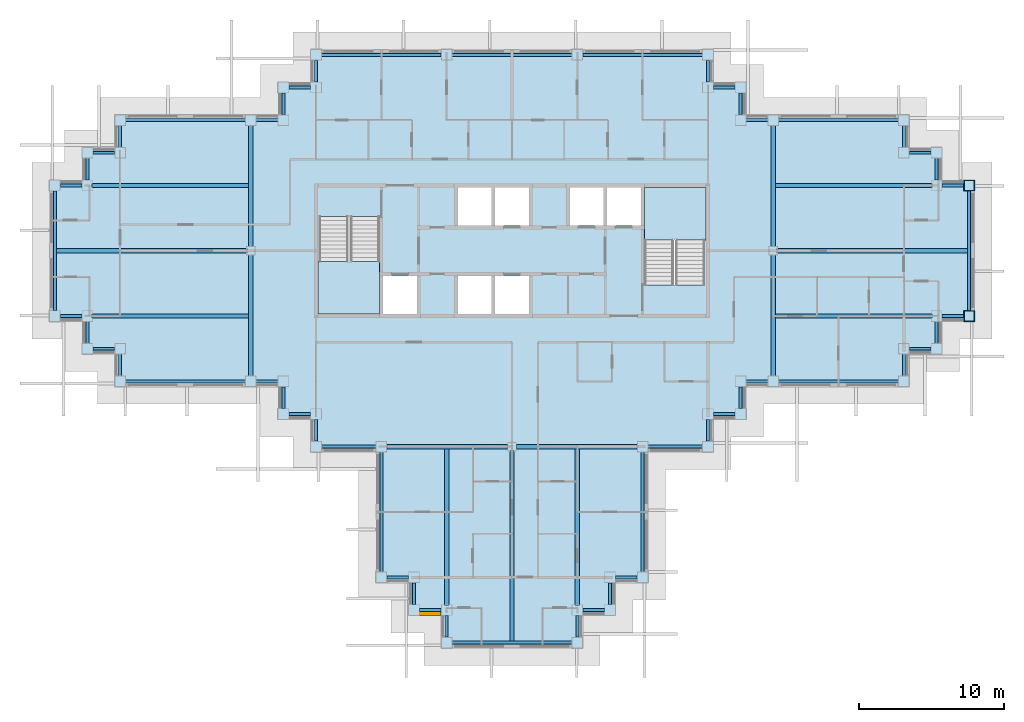
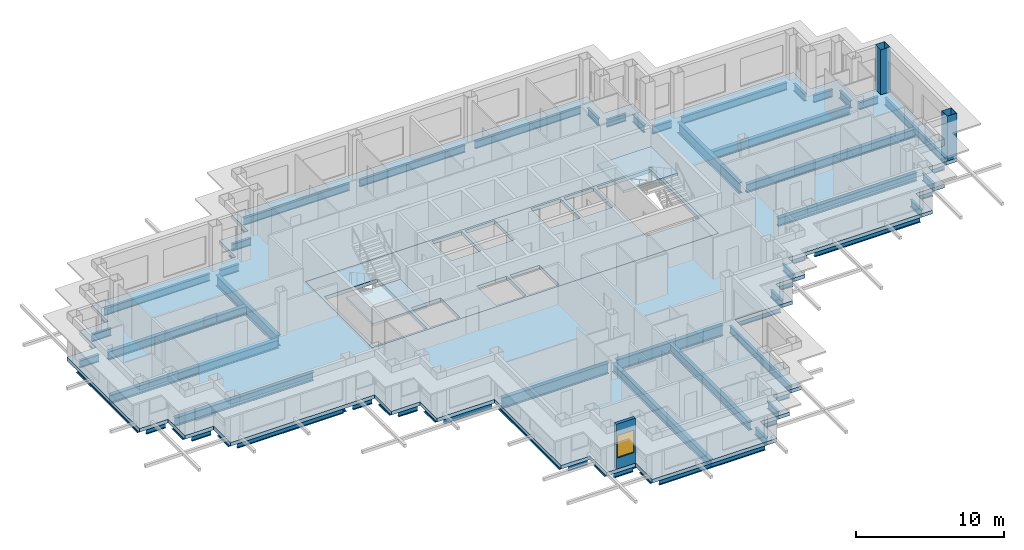
# One storey, part 2 of 15: 69 beams, 4 slabs, 2 columns, 1 wall, 1 window, 1 opening, 2 elements without a shape of their own.
"""IFC4 building model written with IfcOpenShell, lengths in metres."""

from ifc_helpers import new_model, si_unit, direction, frame, frame_2d, origin, origin_2d, place, context, subcontext, project, spatial, polyline, rectangle, hollow_rectangle, i_section, outline, extrude, material, layer, layer_set, material_profile, profile_set, type_object, element, fill, aggregate, save


model = new_model("IFC4")

# Units and contexts
model_context = context("Model", 3, precision=1e-05, world=origin(), true_north=direction((0.0, 1.0)))
body_context = subcontext(model_context, "Body", "Model", "MODEL_VIEW")
ifc_project = project(units=[si_unit("LENGTHUNIT", "METRE"), si_unit("AREAUNIT", "SQUARE_METRE"), si_unit("VOLUMEUNIT", "CUBIC_METRE"), si_unit("PLANEANGLEUNIT", "RADIAN"), si_unit("MASSUNIT", "GRAM", prefix="KILO")], contexts=[model_context])

# Site, building, storey
site_placement = place(None, origin())
site = spatial("IfcSite", under=ifc_project, at=site_placement, CompositionType="ELEMENT")
building_placement = place(site_placement, origin())
building = spatial("IfcBuilding", under=site, at=building_placement, Name="Caravel Reach Hotel and Residences", CompositionType="ELEMENT")
storey_placement = place(building_placement, frame((0.0, 0.0, 172.800048828125)))
storey = spatial("IfcBuildingStorey", under=building, at=storey_placement, Name="L43", CompositionType="ELEMENT", Elevation=172.800048828125)

# Columns
ifc_material_1 = material(Name="Concrete-filled steel tube Q390B with Concrete C60 infill", Category="concrete")
ifc_material_profile_1 = material_profile(ifc_material_1, hollow_rectangle(XDim=0.75, YDim=0.75, WallThickness=0.02392578125, at=origin_2d()), Name="RHS 750x750x24")
ifc_profile_set_1 = profile_set([ifc_material_profile_1], Name="Concrete-filled steel tube Q390B with Concrete C60 infill")
column_type = type_object("IfcColumnType", Name="CFT 750x750 Q390B C60", PredefinedType="COLUMN", material=ifc_profile_set_1)
for number, where, z_axis, x_axis, name in (
    (1, (63.0, 22.5, 0.0), (0.0, 0.0, 1.0), (1.0, 0.0, 0.0), "C14 column"),
    (2, (63.0, 31.5, 0.0), (0.0, 0.0, 1.0), (1.0, 0.0, 0.0), "C14 column"),
):
    element("IfcColumn", number, at=place(storey_placement, frame(where, z_axis=z_axis, x_axis=x_axis)), inside=storey, type_object=column_type, Name=name, PredefinedType="COLUMN", context=body_context, shape_type="SweptSolid", body=[
        extrude(hollow_rectangle(XDim=0.75, YDim=0.75, WallThickness=0.02392578125, at=origin_2d()), origin(), (0.0, 0.0, 1.0), 3.699951171875),
    ])

# Beams
ifc_material_2 = material(Name="Structural steel Q355B", Category="steel")
ifc_material_profile_2 = material_profile(ifc_material_2, i_section(OverallWidth=0.300048828125, OverallDepth=0.699951171875, WebThickness=0.012939453125, FlangeThickness=0.02392578125, FilletRadius=0.01806640625, at=origin_2d()), Name="HN 700x300x13x24")
ifc_profile_set_2 = profile_set([ifc_material_profile_2], Name="Structural steel Q355B")
beam_type_1 = type_object("IfcBeamType", Name="Beam HN 700x300x13x24", PredefinedType="BEAM", material=ifc_profile_set_2)
beam_1_placement = place(storey_placement, frame((27.0, 13.39990234375, -0.650146484375), z_axis=(0.0, -1.0, 0.0), x_axis=(1.0, 0.0, 0.0)))
element("IfcBeam", 3, at=beam_1_placement, inside=storey, type_object=beam_type_1, Name="B2 HN 700x300x13x24", PredefinedType="BEAM", context=body_context, shape_type="SweptSolid", body=[
    extrude(i_section(OverallWidth=0.300048828125, OverallDepth=0.699951171875, WebThickness=0.012939453125, FlangeThickness=0.02392578125, FilletRadius=0.01806640625, at=origin_2d()), origin(), (0.0, 0.0, 1.0), 10.824951171875),
])
beam_2_placement = place(storey_placement, frame((31.5, 13.25, -0.650146484375), z_axis=(0.0, -1.0, 0.0), x_axis=(1.0, 0.0, 0.0)))
element("IfcBeam", 4, at=beam_2_placement, inside=storey, type_object=beam_type_1, Name="B2 HN 700x300x13x24", PredefinedType="BEAM", context=body_context, shape_type="SweptSolid", body=[
    extrude(i_section(OverallWidth=0.300048828125, OverallDepth=0.699951171875, WebThickness=0.012939453125, FlangeThickness=0.02392578125, FilletRadius=0.01806640625, at=origin_2d()), origin(), (0.0, 0.0, 1.0), 13.14990234375),
])
for number, where, z_axis, x_axis, name in (
    (5, (36.0, 13.39990234375, -0.650146484375), (0.0, -1.0, 0.0), (1.0, 0.0, 0.0), "B2 HN 700x300x13x24"),
    (6, (49.60009765625, 22.5, -0.650146484375), (1.0, 0.0, 0.0), (0.0, 1.0, 0.0), "B2 HN 700x300x13x24"),
):
    element("IfcBeam", number, at=place(storey_placement, frame(where, z_axis=z_axis, x_axis=x_axis)), inside=storey, type_object=beam_type_1, Name=name, PredefinedType="BEAM", context=body_context, shape_type="SweptSolid", body=[
        extrude(i_section(OverallWidth=0.300048828125, OverallDepth=0.699951171875, WebThickness=0.012939453125, FlangeThickness=0.02392578125, FilletRadius=0.01806640625, at=origin_2d()), origin(), (0.0, 0.0, 1.0), 10.824951171875),
    ])
beam_3_placement = place(storey_placement, frame((49.75, 27.0, -0.650146484375), z_axis=(1.0, 0.0, 0.0), x_axis=(0.0, 1.0, 0.0)))
element("IfcBeam", 7, at=beam_3_placement, inside=storey, type_object=beam_type_1, Name="B2 HN 700x300x13x24", PredefinedType="BEAM", context=body_context, shape_type="SweptSolid", body=[
    extrude(i_section(OverallWidth=0.300048828125, OverallDepth=0.699951171875, WebThickness=0.012939453125, FlangeThickness=0.02392578125, FilletRadius=0.01806640625, at=origin_2d()), origin(), (0.0, 0.0, 1.0), 13.14990234375),
])
for number, where, z_axis, x_axis, name in (
    (8, (49.60009765625, 31.5, -0.650146484375), (1.0, 0.0, 0.0), (0.0, 1.0, 0.0), "B2 HN 700x300x13x24"),
    (9, (13.39990234375, 22.5, -0.650146484375), (-1.0, 0.0, 0.0), (0.0, -1.0, 0.0), "B2 HN 700x300x13x24"),
):
    element("IfcBeam", number, at=place(storey_placement, frame(where, z_axis=z_axis, x_axis=x_axis)), inside=storey, type_object=beam_type_1, Name=name, PredefinedType="BEAM", context=body_context, shape_type="SweptSolid", body=[
        extrude(i_section(OverallWidth=0.300048828125, OverallDepth=0.699951171875, WebThickness=0.012939453125, FlangeThickness=0.02392578125, FilletRadius=0.01806640625, at=origin_2d()), origin(), (0.0, 0.0, 1.0), 10.824951171875),
    ])
beam_4_placement = place(storey_placement, frame((13.25, 27.0, -0.650146484375), z_axis=(-1.0, 0.0, 0.0), x_axis=(0.0, -1.0, 0.0)))
element("IfcBeam", 10, at=beam_4_placement, inside=storey, type_object=beam_type_1, Name="B2 HN 700x300x13x24", PredefinedType="BEAM", context=body_context, shape_type="SweptSolid", body=[
    extrude(i_section(OverallWidth=0.300048828125, OverallDepth=0.699951171875, WebThickness=0.012939453125, FlangeThickness=0.02392578125, FilletRadius=0.01806640625, at=origin_2d()), origin(), (0.0, 0.0, 1.0), 13.14990234375),
])
beam_5_placement = place(storey_placement, frame((13.39990234375, 31.5, -0.650146484375), z_axis=(-1.0, 0.0, 0.0), x_axis=(0.0, -1.0, 0.0)))
element("IfcBeam", 11, at=beam_5_placement, inside=storey, type_object=beam_type_1, Name="B2 HN 700x300x13x24", PredefinedType="BEAM", context=body_context, shape_type="SweptSolid", body=[
    extrude(i_section(OverallWidth=0.300048828125, OverallDepth=0.699951171875, WebThickness=0.012939453125, FlangeThickness=0.02392578125, FilletRadius=0.01806640625, at=origin_2d()), origin(), (0.0, 0.0, 1.0), 10.824951171875),
])
ifc_material_3 = material(Name="Structural steel Q355B", Category="steel")
ifc_material_profile_3 = material_profile(ifc_material_3, i_section(OverallWidth=0.300048828125, OverallDepth=0.89990234375, WebThickness=0.01611328125, FlangeThickness=0.028076171875, FilletRadius=0.01806640625, at=origin_2d()), Name="HN 900x300x16x28")
ifc_profile_set_3 = profile_set([ifc_material_profile_3], Name="Structural steel Q355B")
beam_type_2 = type_object("IfcBeamType", Name="Beam HN 900x300x16x28", PredefinedType="BEAM", material=ifc_profile_set_3)
for number, where, z_axis, x_axis, name in (
    (12, (22.875, 13.5, -0.75), (1.0, 0.0, 0.0), (0.0, 1.0, 0.0), "B3 HN 900x300x16x28"),
    (13, (31.800048828125, 13.5, -0.75), (1.0, 0.0, 0.0), (0.0, 1.0, 0.0), "B3 HN 900x300x16x28"),
    (14, (13.5, 18.375, -0.75), (0.0, 1.0, 0.0), (-1.0, 0.0, 0.0), "B3 HN 900x300x16x28"),
    (15, (13.5, 27.300048828125, -0.75), (0.0, 1.0, 0.0), (-1.0, 0.0, 0.0), "B3 HN 900x300x16x28"),
    (16, (49.5, 18.375, -0.75), (0.0, 1.0, 0.0), (-1.0, 0.0, 0.0), "B3 HN 900x300x16x28"),
    (17, (49.5, 27.300048828125, -0.75), (0.0, 1.0, 0.0), (-1.0, 0.0, 0.0), "B3 HN 900x300x16x28"),
):
    element("IfcBeam", number, at=place(storey_placement, frame(where, z_axis=z_axis, x_axis=x_axis)), inside=storey, type_object=beam_type_2, Name=name, PredefinedType="BEAM", context=body_context, shape_type="SweptSolid", body=[
        extrude(i_section(OverallWidth=0.300048828125, OverallDepth=0.89990234375, WebThickness=0.01611328125, FlangeThickness=0.028076171875, FilletRadius=0.01806640625, at=origin_2d()), origin(), (0.0, 0.0, 1.0), 8.324951171875),
    ])
ifc_material_4 = material(Name="Structural steel Q355B", Category="steel")
ifc_material_profile_4 = material_profile(ifc_material_4, i_section(OverallWidth=0.199951171875, OverallDepth=0.60009765625, WebThickness=0.010986328125, FlangeThickness=0.01708984375, FilletRadius=0.012939453125, at=origin_2d()), Name="HN 600x200x11x17")
ifc_profile_set_4 = profile_set([ifc_material_profile_4], Name="Structural steel Q355B")
beam_type_3 = type_object("IfcBeamType", Name="Spandrel beam HN 600x200x11x17", PredefinedType="SPANDREL", material=ifc_profile_set_4)
for number, where, z_axis, x_axis, name in (
    (18, (22.875, 4.5, -0.60009765625), (1.0, 0.0, 0.0), (0.0, 1.0, 0.0), "SP1 HN 600x200x11x17"),
    (19, (24.75, 4.125, -0.60009765625), (0.0, -1.0, 0.0), (1.0, 0.0, 0.0), "SP1 HN 600x200x11x17"),
    (20, (25.125, 2.25, -0.60009765625), (1.0, 0.0, 0.0), (0.0, 1.0, 0.0), "SP1 HN 600x200x11x17"),
    (21, (27.0, 1.875, -0.60009765625), (0.0, -1.0, 0.0), (1.0, 0.0, 0.0), "SP1 HN 600x200x11x17"),
):
    element("IfcBeam", number, at=place(storey_placement, frame(where, z_axis=z_axis, x_axis=x_axis)), inside=storey, type_object=beam_type_3, Name=name, PredefinedType="SPANDREL", context=body_context, shape_type="SweptSolid", body=[
        extrude(i_section(OverallWidth=0.199951171875, OverallDepth=0.60009765625, WebThickness=0.010986328125, FlangeThickness=0.01708984375, FilletRadius=0.012939453125, at=origin_2d()), origin(), (0.0, 0.0, 1.0), 1.5),
    ])
beam_6_placement = place(storey_placement, frame((27.375, 0.0, -0.60009765625), z_axis=(1.0, 0.0, 0.0), x_axis=(0.0, 1.0, 0.0)))
element("IfcBeam", 22, at=beam_6_placement, inside=storey, type_object=beam_type_3, Name="SP1 HN 600x200x11x17", PredefinedType="SPANDREL", context=body_context, shape_type="SweptSolid", body=[
    extrude(i_section(OverallWidth=0.199951171875, OverallDepth=0.60009765625, WebThickness=0.010986328125, FlangeThickness=0.01708984375, FilletRadius=0.012939453125, at=origin_2d()), origin(), (0.0, 0.0, 1.0), 8.25),
])
for number, where, z_axis, x_axis, name in (
    (23, (36.0, 0.375, -0.60009765625), (0.0, 1.0, 0.0), (-1.0, 0.0, 0.0), "SP1 HN 600x200x11x17"),
    (24, (36.375, 2.25, -0.60009765625), (1.0, 0.0, 0.0), (0.0, 1.0, 0.0), "SP1 HN 600x200x11x17"),
    (25, (38.25, 2.625, -0.60009765625), (0.0, 1.0, 0.0), (-1.0, 0.0, 0.0), "SP1 HN 600x200x11x17"),
    (26, (38.625, 4.5, -0.60009765625), (1.0, 0.0, 0.0), (0.0, 1.0, 0.0), "SP1 HN 600x200x11x17"),
):
    element("IfcBeam", number, at=place(storey_placement, frame(where, z_axis=z_axis, x_axis=x_axis)), inside=storey, type_object=beam_type_3, Name=name, PredefinedType="SPANDREL", context=body_context, shape_type="SweptSolid", body=[
        extrude(i_section(OverallWidth=0.199951171875, OverallDepth=0.60009765625, WebThickness=0.010986328125, FlangeThickness=0.01708984375, FilletRadius=0.012939453125, at=origin_2d()), origin(), (0.0, 0.0, 1.0), 1.5),
    ])
beam_7_placement = place(storey_placement, frame((40.5, 4.875, -0.60009765625), z_axis=(0.0, 1.0, 0.0), x_axis=(-1.0, 0.0, 0.0)))
element("IfcBeam", 27, at=beam_7_placement, inside=storey, type_object=beam_type_3, Name="SP1 HN 600x200x11x17", PredefinedType="SPANDREL", context=body_context, shape_type="SweptSolid", body=[
    extrude(i_section(OverallWidth=0.199951171875, OverallDepth=0.60009765625, WebThickness=0.010986328125, FlangeThickness=0.01708984375, FilletRadius=0.012939453125, at=origin_2d()), origin(), (0.0, 0.0, 1.0), 8.25),
])
beam_8_placement = place(storey_placement, frame((40.875, 13.5, -0.60009765625), z_axis=(1.0, 0.0, 0.0), x_axis=(0.0, 1.0, 0.0)))
element("IfcBeam", 28, at=beam_8_placement, inside=storey, type_object=beam_type_3, Name="SP1 HN 600x200x11x17", PredefinedType="SPANDREL", context=body_context, shape_type="SweptSolid", body=[
    extrude(i_section(OverallWidth=0.199951171875, OverallDepth=0.60009765625, WebThickness=0.010986328125, FlangeThickness=0.01708984375, FilletRadius=0.012939453125, at=origin_2d()), origin(), (0.0, 0.0, 1.0), 3.75),
])
for number, where, z_axis, x_axis, name in (
    (29, (45.0, 13.875, -0.60009765625), (0.0, 1.0, 0.0), (-1.0, 0.0, 0.0), "SP1 HN 600x200x11x17"),
    (30, (45.375, 15.75, -0.60009765625), (1.0, 0.0, 0.0), (0.0, 1.0, 0.0), "SP1 HN 600x200x11x17"),
    (31, (47.25, 16.125, -0.60009765625), (0.0, 1.0, 0.0), (-1.0, 0.0, 0.0), "SP1 HN 600x200x11x17"),
    (32, (47.625, 18.0, -0.60009765625), (1.0, 0.0, 0.0), (0.0, 1.0, 0.0), "SP1 HN 600x200x11x17"),
):
    element("IfcBeam", number, at=place(storey_placement, frame(where, z_axis=z_axis, x_axis=x_axis)), inside=storey, type_object=beam_type_3, Name=name, PredefinedType="SPANDREL", context=body_context, shape_type="SweptSolid", body=[
        extrude(i_section(OverallWidth=0.199951171875, OverallDepth=0.60009765625, WebThickness=0.010986328125, FlangeThickness=0.01708984375, FilletRadius=0.012939453125, at=origin_2d()), origin(), (0.0, 0.0, 1.0), 1.5),
    ])
beam_9_placement = place(storey_placement, frame((49.875, 18.0, -0.60009765625), z_axis=(1.0, 0.0, 0.0), x_axis=(0.0, 1.0, 0.0)))
element("IfcBeam", 33, at=beam_9_placement, inside=storey, type_object=beam_type_3, Name="SP1 HN 600x200x11x17", PredefinedType="SPANDREL", context=body_context, shape_type="SweptSolid", body=[
    extrude(i_section(OverallWidth=0.199951171875, OverallDepth=0.60009765625, WebThickness=0.010986328125, FlangeThickness=0.01708984375, FilletRadius=0.012939453125, at=origin_2d()), origin(), (0.0, 0.0, 1.0), 8.25),
])
for number, where, z_axis, x_axis, name in (
    (34, (58.5, 18.375, -0.60009765625), (0.0, 1.0, 0.0), (-1.0, 0.0, 0.0), "SP1 HN 600x200x11x17"),
    (35, (58.875, 20.25, -0.60009765625), (1.0, 0.0, 0.0), (0.0, 1.0, 0.0), "SP1 HN 600x200x11x17"),
    (36, (60.75, 20.625, -0.60009765625), (0.0, 1.0, 0.0), (-1.0, 0.0, 0.0), "SP1 HN 600x200x11x17"),
    (37, (61.125, 22.5, -0.60009765625), (1.0, 0.0, 0.0), (0.0, 1.0, 0.0), "SP1 HN 600x200x11x17"),
):
    element("IfcBeam", number, at=place(storey_placement, frame(where, z_axis=z_axis, x_axis=x_axis)), inside=storey, type_object=beam_type_3, Name=name, PredefinedType="SPANDREL", context=body_context, shape_type="SweptSolid", body=[
        extrude(i_section(OverallWidth=0.199951171875, OverallDepth=0.60009765625, WebThickness=0.010986328125, FlangeThickness=0.01708984375, FilletRadius=0.012939453125, at=origin_2d()), origin(), (0.0, 0.0, 1.0), 1.5),
    ])
beam_10_placement = place(storey_placement, frame((63.0, 22.875, -0.60009765625), z_axis=(0.0, 1.0, 0.0), x_axis=(-1.0, 0.0, 0.0)))
element("IfcBeam", 38, at=beam_10_placement, inside=storey, type_object=beam_type_3, Name="SP1 HN 600x200x11x17", PredefinedType="SPANDREL", context=body_context, shape_type="SweptSolid", body=[
    extrude(i_section(OverallWidth=0.199951171875, OverallDepth=0.60009765625, WebThickness=0.010986328125, FlangeThickness=0.01708984375, FilletRadius=0.012939453125, at=origin_2d()), origin(), (0.0, 0.0, 1.0), 8.25),
])
for number, where, z_axis, x_axis, name in (
    (39, (62.625, 31.5, -0.60009765625), (-1.0, 0.0, 0.0), (0.0, -1.0, 0.0), "SP1 HN 600x200x11x17"),
    (40, (60.75, 31.875, -0.60009765625), (0.0, 1.0, 0.0), (-1.0, 0.0, 0.0), "SP1 HN 600x200x11x17"),
    (41, (60.375, 33.75, -0.60009765625), (-1.0, 0.0, 0.0), (0.0, -1.0, 0.0), "SP1 HN 600x200x11x17"),
    (42, (58.5, 34.125, -0.60009765625), (0.0, 1.0, 0.0), (-1.0, 0.0, 0.0), "SP1 HN 600x200x11x17"),
):
    element("IfcBeam", number, at=place(storey_placement, frame(where, z_axis=z_axis, x_axis=x_axis)), inside=storey, type_object=beam_type_3, Name=name, PredefinedType="SPANDREL", context=body_context, shape_type="SweptSolid", body=[
        extrude(i_section(OverallWidth=0.199951171875, OverallDepth=0.60009765625, WebThickness=0.010986328125, FlangeThickness=0.01708984375, FilletRadius=0.012939453125, at=origin_2d()), origin(), (0.0, 0.0, 1.0), 1.5),
    ])
beam_11_placement = place(storey_placement, frame((58.125, 36.0, -0.60009765625), z_axis=(-1.0, 0.0, 0.0), x_axis=(0.0, -1.0, 0.0)))
element("IfcBeam", 43, at=beam_11_placement, inside=storey, type_object=beam_type_3, Name="SP1 HN 600x200x11x17", PredefinedType="SPANDREL", context=body_context, shape_type="SweptSolid", body=[
    extrude(i_section(OverallWidth=0.199951171875, OverallDepth=0.60009765625, WebThickness=0.010986328125, FlangeThickness=0.01708984375, FilletRadius=0.012939453125, at=origin_2d()), origin(), (0.0, 0.0, 1.0), 8.25),
])
for number, where, z_axis, x_axis, name in (
    (44, (49.125, 36.0, -0.60009765625), (-1.0, 0.0, 0.0), (0.0, -1.0, 0.0), "SP1 HN 600x200x11x17"),
    (45, (47.25, 36.375, -0.60009765625), (0.0, 1.0, 0.0), (-1.0, 0.0, 0.0), "SP1 HN 600x200x11x17"),
    (46, (46.875, 38.25, -0.60009765625), (-1.0, 0.0, 0.0), (0.0, -1.0, 0.0), "SP1 HN 600x200x11x17"),
    (47, (45.0, 38.625, -0.60009765625), (0.0, 1.0, 0.0), (-1.0, 0.0, 0.0), "SP1 HN 600x200x11x17"),
):
    element("IfcBeam", number, at=place(storey_placement, frame(where, z_axis=z_axis, x_axis=x_axis)), inside=storey, type_object=beam_type_3, Name=name, PredefinedType="SPANDREL", context=body_context, shape_type="SweptSolid", body=[
        extrude(i_section(OverallWidth=0.199951171875, OverallDepth=0.60009765625, WebThickness=0.010986328125, FlangeThickness=0.01708984375, FilletRadius=0.012939453125, at=origin_2d()), origin(), (0.0, 0.0, 1.0), 1.5),
    ])
for number, where, z_axis, x_axis, name in (
    (48, (44.625, 40.5, -0.60009765625), (-1.0, 0.0, 0.0), (0.0, -1.0, 0.0), "SP1 HN 600x200x11x17"),
    (49, (35.625, 40.5, -0.60009765625), (-1.0, 0.0, 0.0), (0.0, -1.0, 0.0), "SP1 HN 600x200x11x17"),
    (50, (26.625, 40.5, -0.60009765625), (-1.0, 0.0, 0.0), (0.0, -1.0, 0.0), "SP1 HN 600x200x11x17"),
):
    element("IfcBeam", number, at=place(storey_placement, frame(where, z_axis=z_axis, x_axis=x_axis)), inside=storey, type_object=beam_type_3, Name=name, PredefinedType="SPANDREL", context=body_context, shape_type="SweptSolid", body=[
        extrude(i_section(OverallWidth=0.199951171875, OverallDepth=0.60009765625, WebThickness=0.010986328125, FlangeThickness=0.01708984375, FilletRadius=0.012939453125, at=origin_2d()), origin(), (0.0, 0.0, 1.0), 8.25),
    ])
for number, where, z_axis, x_axis, name in (
    (51, (18.0, 40.125, -0.60009765625), (0.0, -1.0, 0.0), (1.0, 0.0, 0.0), "SP1 HN 600x200x11x17"),
    (52, (17.625, 38.25, -0.60009765625), (-1.0, 0.0, 0.0), (0.0, -1.0, 0.0), "SP1 HN 600x200x11x17"),
    (53, (15.75, 37.875, -0.60009765625), (0.0, -1.0, 0.0), (1.0, 0.0, 0.0), "SP1 HN 600x200x11x17"),
    (54, (15.375, 36.0, -0.60009765625), (-1.0, 0.0, 0.0), (0.0, -1.0, 0.0), "SP1 HN 600x200x11x17"),
):
    element("IfcBeam", number, at=place(storey_placement, frame(where, z_axis=z_axis, x_axis=x_axis)), inside=storey, type_object=beam_type_3, Name=name, PredefinedType="SPANDREL", context=body_context, shape_type="SweptSolid", body=[
        extrude(i_section(OverallWidth=0.199951171875, OverallDepth=0.60009765625, WebThickness=0.010986328125, FlangeThickness=0.01708984375, FilletRadius=0.012939453125, at=origin_2d()), origin(), (0.0, 0.0, 1.0), 1.5),
    ])
beam_12_placement = place(storey_placement, frame((13.125, 36.0, -0.60009765625), z_axis=(-1.0, 0.0, 0.0), x_axis=(0.0, -1.0, 0.0)))
element("IfcBeam", 55, at=beam_12_placement, inside=storey, type_object=beam_type_3, Name="SP1 HN 600x200x11x17", PredefinedType="SPANDREL", context=body_context, shape_type="SweptSolid", body=[
    extrude(i_section(OverallWidth=0.199951171875, OverallDepth=0.60009765625, WebThickness=0.010986328125, FlangeThickness=0.01708984375, FilletRadius=0.012939453125, at=origin_2d()), origin(), (0.0, 0.0, 1.0), 8.25),
])
for number, where, z_axis, x_axis, name in (
    (56, (4.5, 35.625, -0.60009765625), (0.0, -1.0, 0.0), (1.0, 0.0, 0.0), "SP1 HN 600x200x11x17"),
    (57, (4.125, 33.75, -0.60009765625), (-1.0, 0.0, 0.0), (0.0, -1.0, 0.0), "SP1 HN 600x200x11x17"),
    (58, (2.25, 33.375, -0.60009765625), (0.0, -1.0, 0.0), (1.0, 0.0, 0.0), "SP1 HN 600x200x11x17"),
    (59, (1.875, 31.5, -0.60009765625), (-1.0, 0.0, 0.0), (0.0, -1.0, 0.0), "SP1 HN 600x200x11x17"),
):
    element("IfcBeam", number, at=place(storey_placement, frame(where, z_axis=z_axis, x_axis=x_axis)), inside=storey, type_object=beam_type_3, Name=name, PredefinedType="SPANDREL", context=body_context, shape_type="SweptSolid", body=[
        extrude(i_section(OverallWidth=0.199951171875, OverallDepth=0.60009765625, WebThickness=0.010986328125, FlangeThickness=0.01708984375, FilletRadius=0.012939453125, at=origin_2d()), origin(), (0.0, 0.0, 1.0), 1.5),
    ])
beam_13_placement = place(storey_placement, frame((0.0, 31.125, -0.60009765625), z_axis=(0.0, -1.0, 0.0), x_axis=(1.0, 0.0, 0.0)))
element("IfcBeam", 60, at=beam_13_placement, inside=storey, type_object=beam_type_3, Name="SP1 HN 600x200x11x17", PredefinedType="SPANDREL", context=body_context, shape_type="SweptSolid", body=[
    extrude(i_section(OverallWidth=0.199951171875, OverallDepth=0.60009765625, WebThickness=0.010986328125, FlangeThickness=0.01708984375, FilletRadius=0.012939453125, at=origin_2d()), origin(), (0.0, 0.0, 1.0), 8.25),
])
for number, where, z_axis, x_axis, name in (
    (61, (0.375, 22.5, -0.60009765625), (1.0, 0.0, 0.0), (0.0, 1.0, 0.0), "SP1 HN 600x200x11x17"),
    (62, (2.25, 22.125, -0.60009765625), (0.0, -1.0, 0.0), (1.0, 0.0, 0.0), "SP1 HN 600x200x11x17"),
    (63, (2.625, 20.25, -0.60009765625), (1.0, 0.0, 0.0), (0.0, 1.0, 0.0), "SP1 HN 600x200x11x17"),
    (64, (4.5, 19.875, -0.60009765625), (0.0, -1.0, 0.0), (1.0, 0.0, 0.0), "SP1 HN 600x200x11x17"),
):
    element("IfcBeam", number, at=place(storey_placement, frame(where, z_axis=z_axis, x_axis=x_axis)), inside=storey, type_object=beam_type_3, Name=name, PredefinedType="SPANDREL", context=body_context, shape_type="SweptSolid", body=[
        extrude(i_section(OverallWidth=0.199951171875, OverallDepth=0.60009765625, WebThickness=0.010986328125, FlangeThickness=0.01708984375, FilletRadius=0.012939453125, at=origin_2d()), origin(), (0.0, 0.0, 1.0), 1.5),
    ])
beam_14_placement = place(storey_placement, frame((4.875, 18.0, -0.60009765625), z_axis=(1.0, 0.0, 0.0), x_axis=(0.0, 1.0, 0.0)))
element("IfcBeam", 65, at=beam_14_placement, inside=storey, type_object=beam_type_3, Name="SP1 HN 600x200x11x17", PredefinedType="SPANDREL", context=body_context, shape_type="SweptSolid", body=[
    extrude(i_section(OverallWidth=0.199951171875, OverallDepth=0.60009765625, WebThickness=0.010986328125, FlangeThickness=0.01708984375, FilletRadius=0.012939453125, at=origin_2d()), origin(), (0.0, 0.0, 1.0), 8.25),
])
for number, where, z_axis, x_axis, name in (
    (66, (13.875, 18.0, -0.60009765625), (1.0, 0.0, 0.0), (0.0, 1.0, 0.0), "SP1 HN 600x200x11x17"),
    (67, (15.75, 17.625, -0.60009765625), (0.0, -1.0, 0.0), (1.0, 0.0, 0.0), "SP1 HN 600x200x11x17"),
    (68, (16.125, 15.75, -0.60009765625), (1.0, 0.0, 0.0), (0.0, 1.0, 0.0), "SP1 HN 600x200x11x17"),
    (69, (18.0, 15.375, -0.60009765625), (0.0, -1.0, 0.0), (1.0, 0.0, 0.0), "SP1 HN 600x200x11x17"),
):
    element("IfcBeam", number, at=place(storey_placement, frame(where, z_axis=z_axis, x_axis=x_axis)), inside=storey, type_object=beam_type_3, Name=name, PredefinedType="SPANDREL", context=body_context, shape_type="SweptSolid", body=[
        extrude(i_section(OverallWidth=0.199951171875, OverallDepth=0.60009765625, WebThickness=0.010986328125, FlangeThickness=0.01708984375, FilletRadius=0.012939453125, at=origin_2d()), origin(), (0.0, 0.0, 1.0), 1.5),
    ])
beam_15_placement = place(storey_placement, frame((18.375, 13.5, -0.60009765625), z_axis=(1.0, 0.0, 0.0), x_axis=(0.0, 1.0, 0.0)))
element("IfcBeam", 70, at=beam_15_placement, inside=storey, type_object=beam_type_3, Name="SP1 HN 600x200x11x17", PredefinedType="SPANDREL", context=body_context, shape_type="SweptSolid", body=[
    extrude(i_section(OverallWidth=0.199951171875, OverallDepth=0.60009765625, WebThickness=0.010986328125, FlangeThickness=0.01708984375, FilletRadius=0.012939453125, at=origin_2d()), origin(), (0.0, 0.0, 1.0), 3.75),
])
beam_16_placement = place(storey_placement, frame((22.5, 13.125, -0.60009765625), z_axis=(0.0, -1.0, 0.0), x_axis=(1.0, 0.0, 0.0)))
element("IfcBeam", 71, at=beam_16_placement, inside=storey, type_object=beam_type_3, Name="SP1 HN 600x200x11x17", PredefinedType="SPANDREL", context=body_context, shape_type="SweptSolid", body=[
    extrude(i_section(OverallWidth=0.199951171875, OverallDepth=0.60009765625, WebThickness=0.010986328125, FlangeThickness=0.01708984375, FilletRadius=0.012939453125, at=origin_2d()), origin(), (0.0, 0.0, 1.0), 8.25),
])

# Slab
ifc_material_5 = material(Name="Concrete C40", Category="concrete")
ifc_layer_1 = layer(ifc_material_5, 0.300048828125)
ifc_layer_set_1 = layer_set([ifc_layer_1], Name="Core floor slab 300 mm")
slab_type_1 = type_object("IfcSlabType", Name="Core floor slab 300 mm", PredefinedType="FLOOR", material=ifc_layer_set_1)
slab_1_placement = place(storey_placement, frame((0.0, 0.0, -0.300048828125)))
element("IfcSlab", 72, at=slab_1_placement, inside=storey, type_object=slab_type_1, Name="L43 core floor", PredefinedType="FLOOR", context=body_context, shape_type="SweptSolid", body=[
    extrude(outline(polyline([(18.0, 31.5), (45.0, 31.5), (45.0, 22.5), (18.0, 22.5), (18.0, 31.5)]), holes=[polyline([(22.625, 25.27490234375), (22.625, 22.64990234375), (24.9462890625, 22.64990234375), (24.9462890625, 25.27490234375), (22.625, 25.27490234375)]), polyline([(27.767822265625, 25.27490234375), (27.767822265625, 22.64990234375), (30.08935546875, 22.64990234375), (30.08935546875, 25.27490234375), (27.767822265625, 25.27490234375)]), polyline([(30.33935546875, 25.27490234375), (30.33935546875, 22.64990234375), (32.66064453125, 22.64990234375), (32.66064453125, 25.27490234375), (30.33935546875, 25.27490234375)]), polyline([(22.375, 22.64990234375), (22.375, 29.35009765625), (18.22509765625, 29.35009765625), (18.22509765625, 22.64990234375), (22.375, 22.64990234375)]), polyline([(40.625, 31.35009765625), (40.625, 24.64990234375), (44.77490234375, 24.64990234375), (44.77490234375, 31.35009765625), (40.625, 31.35009765625)]), polyline([(27.767822265625, 31.35009765625), (27.767822265625, 28.72509765625), (30.08935546875, 28.72509765625), (30.08935546875, 31.35009765625), (27.767822265625, 31.35009765625)]), polyline([(30.33935546875, 31.35009765625), (30.33935546875, 28.72509765625), (32.66064453125, 28.72509765625), (32.66064453125, 31.35009765625), (30.33935546875, 31.35009765625)]), polyline([(37.8037109375, 31.35009765625), (35.482177734375, 31.35009765625), (35.482177734375, 28.72509765625), (37.8037109375, 28.72509765625), (37.8037109375, 31.35009765625)]), polyline([(40.375, 31.35009765625), (38.0537109375, 31.35009765625), (38.0537109375, 28.72509765625), (40.375, 28.72509765625), (40.375, 31.35009765625)])]), origin(), (0.0, 0.0, 1.0), 0.300048828125),
])

# Stair, slab
ifc_material_6 = material(Name="Concrete C40", Category="concrete")
stair_type = type_object("IfcStairType", Name="Core stair", PredefinedType="HALF_TURN_STAIR", material=ifc_material_6)
stair_1_placement = place(storey_placement, origin())
stair_1 = element("IfcStair", 73, at=stair_1_placement, inside=storey, type_object=stair_type, Name="L43 Exit stair A", PredefinedType="HALF_TURN_STAIR")
ifc_material_7 = material(Name="Concrete C40", Category="concrete")
ifc_layer_2 = layer(ifc_material_7, 0.199951171875)
ifc_layer_set_2 = layer_set([ifc_layer_2], Name="Core stair landing")
slab_type_2 = type_object("IfcSlabType", Name="Core stair landing", PredefinedType="LANDING", material=ifc_layer_set_2)
slab_2_placement = place(storey_placement, frame((0.0, 0.0, 1.64990234375)))
slab_2 = element("IfcSlab", 74, at=slab_2_placement, type_object=slab_type_2, Name="ST-A landing 1", PredefinedType="LANDING", context=body_context, shape_type="SweptSolid", body=[
    extrude(outline(polyline([(18.14990234375, 26.27001953125), (18.14990234375, 22.64990234375), (22.375, 22.64990234375), (22.375, 26.27001953125), (18.14990234375, 26.27001953125)])), origin(), (0.0, 0.0, 1.0), 0.199951171875),
])
aggregate(stair_1, [slab_2])

stair_2_placement = place(storey_placement, origin())
stair_2 = element("IfcStair", 75, at=stair_2_placement, inside=storey, type_object=stair_type, Name="L43 Exit stair B", PredefinedType="HALF_TURN_STAIR")
slab_3_placement = place(storey_placement, frame((0.0, 0.0, 1.64990234375)))
slab_3 = element("IfcSlab", 76, at=slab_3_placement, type_object=slab_type_2, Name="ST-B landing 1", PredefinedType="LANDING", context=body_context, shape_type="SweptSolid", body=[
    extrude(outline(polyline([(44.85009765625, 27.72998046875), (44.85009765625, 31.35009765625), (40.625, 31.35009765625), (40.625, 27.72998046875), (44.85009765625, 27.72998046875)])), origin(), (0.0, 0.0, 1.0), 0.199951171875),
])
aggregate(stair_2, [slab_3])

# Slab
ifc_material_8 = material(Name="Concrete C40 post-tensioned", Category="concrete")
ifc_layer_3 = layer(ifc_material_8, 0.300048828125)
ifc_layer_set_3 = layer_set([ifc_layer_3], Name="Floor slab 300")
slab_type_3 = type_object("IfcSlabType", Name="Floor slab 300", PredefinedType="FLOOR", material=ifc_layer_set_3)
slab_4_placement = place(storey_placement, frame((0.0, 0.0, -0.300048828125)))
element("IfcSlab", 77, at=slab_4_placement, inside=storey, type_object=slab_type_3, Name="S2 slab L43", PredefinedType="FLOOR", context=body_context, shape_type="SweptSolid", body=[
    extrude(outline(polyline([(17.625, 13.125), (17.625, 15.375), (15.375, 15.375), (15.375, 17.625), (4.125, 17.625), (4.125, 19.875), (1.875, 19.875), (1.875, 22.125), (-0.375, 22.125), (-0.375, 31.875), (1.875, 31.875), (1.875, 34.125), (4.125, 34.125), (4.125, 36.375), (15.375, 36.375), (15.375, 38.625), (17.625, 38.625), (17.625, 40.875), (45.375, 40.875), (45.375, 38.625), (47.625, 38.625), (47.625, 36.375), (58.875, 36.375), (58.875, 34.125), (61.125, 34.125), (61.125, 31.875), (63.375, 31.875), (63.375, 22.125), (61.125, 22.125), (61.125, 19.875), (58.875, 19.875), (58.875, 17.625), (47.625, 17.625), (47.625, 15.375), (45.375, 15.375), (45.375, 13.125), (40.875, 13.125), (40.875, 4.125), (38.625, 4.125), (38.625, 1.875), (36.375, 1.875), (36.375, -0.375), (26.625, -0.375), (26.625, 1.875), (24.375, 1.875), (24.375, 4.125), (22.125, 4.125), (22.125, 13.125), (17.625, 13.125)]), holes=[polyline([(45.0, 31.5), (18.0, 31.5), (18.0, 22.5), (45.0, 22.5), (45.0, 31.5)])]), origin(), (0.0, 0.0, 1.0), 0.300048828125),
])

# Wall, opening, window
ifc_material_9 = material(Name="Insulated rainscreen wall, aluminium cladding", Category="aluminium")
ifc_layer_4 = layer(ifc_material_9, 0.25)
ifc_layer_set_4 = layer_set([ifc_layer_4], Name="EW1 Tower rainscreen wall")
wall_type = type_object("IfcWallType", Name="EW1 Tower rainscreen wall", PredefinedType="SOLIDWALL", material=ifc_layer_set_4)
wall_placement = place(storey_placement, frame((25.125, 2.0, 0.0), z_axis=(0.0, 0.0, 1.0), x_axis=(1.0, 0.0, 0.0)))
wall = element("IfcWall", 78, at=wall_placement, inside=storey, type_object=wall_type, Name="External wall L43 S3.1", PredefinedType="SOLIDWALL", context=body_context, shape_type="SweptSolid", body=[
    extrude(rectangle(XDim=1.5, YDim=0.25, at=frame_2d((0.75, 0.0))), origin(), (0.0, 0.0, 1.0), 3.699951171875),
])
opening_placement = place(wall_placement, frame((0.10009765625, 0.0, 0.89990234375)))
opening = element("IfcOpeningElement", 79, at=opening_placement, cuts=wall, Name="Opening WN16", PredefinedType="OPENING", context=body_context, shape_type="SweptSolid", body=[
    extrude(rectangle(XDim=1.300048828125, YDim=1.85009765625, at=frame_2d((0.64990234375, 0.925048828125))), frame((0.0, 0.135009765625, 0.0), z_axis=(0.0, -1.0, 0.0), x_axis=(1.0, 0.0, 0.0)), (0.0, 0.0, 1.0), 0.27001953125),
])
ifc_material_10 = material(Name="Dark low-e glazing in black aluminium frame", Category="aluminium")
window_type = type_object("IfcWindowType", Name="Residence bedroom window 1300 x 1850", PartitioningType="SINGLE_PANEL", PredefinedType="WINDOW", material=ifc_material_10)
window_placement = place(opening_placement, origin())
window = element("IfcWindow", 80, at=window_placement, inside=storey, type_object=window_type, Name="Window L43 S3.1.1", OverallHeight=1.85009765625, OverallWidth=1.300048828125, PartitioningType="SINGLE_PANEL", PredefinedType="WINDOW", context=body_context, shape_type="SweptSolid", body=[
    extrude(rectangle(XDim=1.300048828125, YDim=1.85009765625, at=frame_2d((0.64990234375, 0.925048828125))), frame((0.0, 0.030029296875, 0.0), z_axis=(0.0, -1.0, 0.0), x_axis=(1.0, 0.0, 0.0)), (0.0, 0.0, 1.0), 0.06005859375),
])
fill(opening, window)

save(model, "model.ifc")
